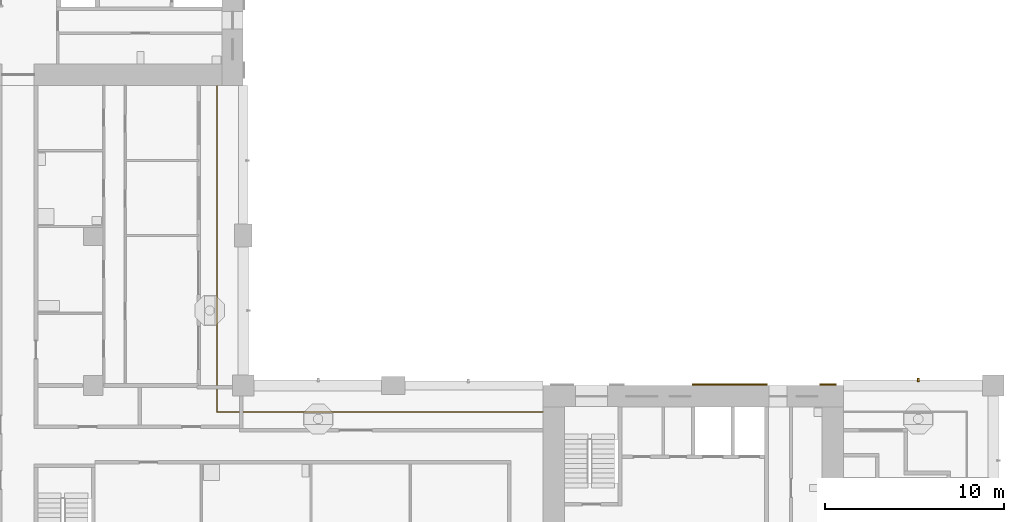
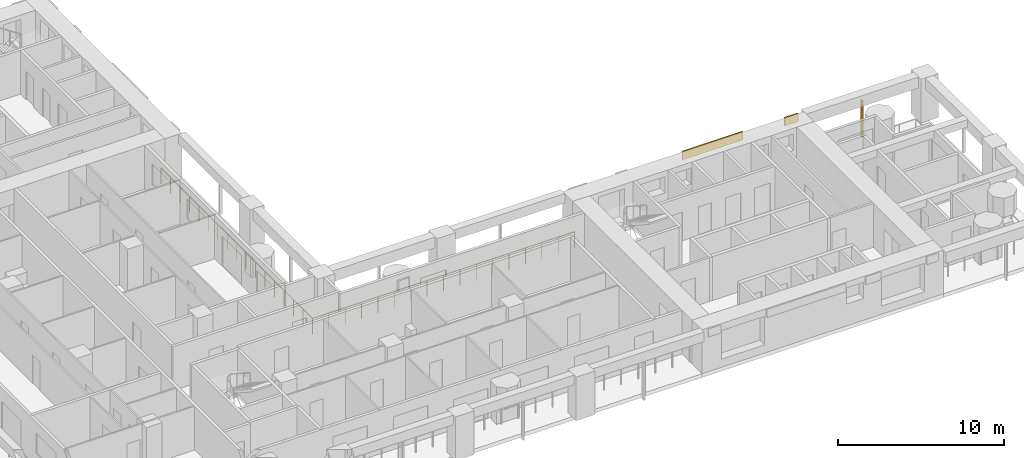
# One storey, part 13 of 18: 3 shading devices, 1 railing.
"""IFC4 building model written with IfcOpenShell, lengths in metres."""

from ifc_helpers import new_model, si_unit, direction, frame, origin, origin_2d, place, context, subcontext, project, spatial, rectangle, circle, extrude, material, layer, layer_set, material_profile, profile_set, type_object, element, save


model = new_model("IFC4")

# Units and contexts
model_context = context("Model", 3, precision=1e-05, world=origin(), true_north=direction((0.0, 1.0)))
body_context = subcontext(model_context, "Body", "Model", "MODEL_VIEW")
ifc_project = project(units=[si_unit("LENGTHUNIT", "METRE"), si_unit("AREAUNIT", "SQUARE_METRE"), si_unit("VOLUMEUNIT", "CUBIC_METRE"), si_unit("PLANEANGLEUNIT", "RADIAN"), si_unit("MASSUNIT", "GRAM", prefix="KILO")], contexts=[model_context])

# Site, building, storey
site_placement = place(None, origin())
site = spatial("IfcSite", under=ifc_project, at=site_placement, CompositionType="ELEMENT")
building_placement = place(site_placement, origin())
building = spatial("IfcBuilding", under=site, at=building_placement, Name="Vermilion Gate Residences", CompositionType="ELEMENT")
storey_placement = place(building_placement, frame((0.0, 0.0, 105.699951171875)))
storey = spatial("IfcBuildingStorey", under=building, at=storey_placement, Name="L26", CompositionType="ELEMENT", Elevation=105.699951171875)

# Railing
ifc_material_1 = material(Name="Stainless steel and toughened glass", Category="steel")
railing_type = type_object("IfcRailingType", Name="LOGGIA GUARD STEEL AND GLASS 1200", PredefinedType="GUARDRAIL", material=ifc_material_1)
railing_placement = place(storey_placement, frame((41.97802734375, 23.72509765625, 0.0)))
element("IfcRailing", 1, at=railing_placement, inside=storey, type_object=railing_type, Name="Loggia guard", PredefinedType="GUARDRAIL", context=body_context, shape_type="SweptSolid", body=[
    extrude(circle(Radius=0.030029296875, at=origin_2d()), frame((0.0, 0.0, 1.169921875), z_axis=(-1.0, 0.0, 0.0), x_axis=(0.0, -1.0, 0.0)), (0.0, 0.0, 1.0), 18.2529296875),
    extrude(circle(Radius=0.030029296875, at=origin_2d()), frame((-18.2529296875, 0.0, 1.169921875), z_axis=(0.0, 1.0, 0.0), x_axis=(-1.0, 0.0, 0.0)), (0.0, 0.0, 1.0), 18.2529296875),
    extrude(circle(Radius=0.02490234375, at=origin_2d()), origin(), (0.0, 0.0, 1.0), 1.139892578125),
    extrude(circle(Radius=0.02490234375, at=origin_2d()), frame((-1.140869140625, 0.0, 0.0)), (0.0, 0.0, 1.0), 1.139892578125),
    extrude(circle(Radius=0.02490234375, at=origin_2d()), frame((-2.28173828125, 0.0, 0.0)), (0.0, 0.0, 1.0), 1.139892578125),
    extrude(circle(Radius=0.02490234375, at=origin_2d()), frame((-3.42236328125, 0.0, 0.0)), (0.0, 0.0, 1.0), 1.139892578125),
    extrude(circle(Radius=0.02490234375, at=origin_2d()), frame((-4.563232421875, 0.0, 0.0)), (0.0, 0.0, 1.0), 1.139892578125),
    extrude(circle(Radius=0.02490234375, at=origin_2d()), frame((-5.7041015625, 0.0, 0.0)), (0.0, 0.0, 1.0), 1.139892578125),
    extrude(circle(Radius=0.02490234375, at=origin_2d()), frame((-6.8447265625, 0.0, 0.0)), (0.0, 0.0, 1.0), 1.139892578125),
    extrude(circle(Radius=0.02490234375, at=origin_2d()), frame((-7.985595703125, 0.0, 0.0)), (0.0, 0.0, 1.0), 1.139892578125),
    extrude(circle(Radius=0.02490234375, at=origin_2d()), frame((-9.12646484375, 0.0, 0.0)), (0.0, 0.0, 1.0), 1.139892578125),
    extrude(circle(Radius=0.02490234375, at=origin_2d()), frame((-10.267333984375, 0.0, 0.0)), (0.0, 0.0, 1.0), 1.139892578125),
    extrude(circle(Radius=0.02490234375, at=origin_2d()), frame((-11.408203125, 0.0, 0.0)), (0.0, 0.0, 1.0), 1.139892578125),
    extrude(circle(Radius=0.02490234375, at=origin_2d()), frame((-12.548828125, 0.0, 0.0)), (0.0, 0.0, 1.0), 1.139892578125),
    extrude(circle(Radius=0.02490234375, at=origin_2d()), frame((-13.689697265625, 0.0, 0.0)), (0.0, 0.0, 1.0), 1.139892578125),
    extrude(circle(Radius=0.02490234375, at=origin_2d()), frame((-14.83056640625, 0.0, 0.0)), (0.0, 0.0, 1.0), 1.139892578125),
    extrude(circle(Radius=0.02490234375, at=origin_2d()), frame((-15.97119140625, 0.0, 0.0)), (0.0, 0.0, 1.0), 1.139892578125),
    extrude(circle(Radius=0.02490234375, at=origin_2d()), frame((-17.112060546875, 0.0, 0.0)), (0.0, 0.0, 1.0), 1.139892578125),
    extrude(circle(Radius=0.02490234375, at=origin_2d()), frame((-18.2529296875, 0.0, 0.0)), (0.0, 0.0, 1.0), 1.139892578125),
    extrude(circle(Radius=0.02490234375, at=origin_2d()), frame((-18.2529296875, 1.140869140625, 0.0)), (0.0, 0.0, 1.0), 1.139892578125),
    extrude(circle(Radius=0.02490234375, at=origin_2d()), frame((-18.2529296875, 2.28173828125, 0.0)), (0.0, 0.0, 1.0), 1.139892578125),
    extrude(circle(Radius=0.02490234375, at=origin_2d()), frame((-18.2529296875, 3.42236328125, 0.0)), (0.0, 0.0, 1.0), 1.139892578125),
    extrude(circle(Radius=0.02490234375, at=origin_2d()), frame((-18.2529296875, 4.563232421875, 0.0)), (0.0, 0.0, 1.0), 1.139892578125),
    extrude(circle(Radius=0.02490234375, at=origin_2d()), frame((-18.2529296875, 5.7041015625, 0.0)), (0.0, 0.0, 1.0), 1.139892578125),
    extrude(circle(Radius=0.02490234375, at=origin_2d()), frame((-18.2529296875, 6.8447265625, 0.0)), (0.0, 0.0, 1.0), 1.139892578125),
    extrude(circle(Radius=0.02490234375, at=origin_2d()), frame((-18.2529296875, 7.985595703125, 0.0)), (0.0, 0.0, 1.0), 1.139892578125),
    extrude(circle(Radius=0.02490234375, at=origin_2d()), frame((-18.2529296875, 9.12646484375, 0.0)), (0.0, 0.0, 1.0), 1.139892578125),
    extrude(circle(Radius=0.02490234375, at=origin_2d()), frame((-18.2529296875, 10.267333984375, 0.0)), (0.0, 0.0, 1.0), 1.139892578125),
    extrude(circle(Radius=0.02490234375, at=origin_2d()), frame((-18.2529296875, 11.408203125, 0.0)), (0.0, 0.0, 1.0), 1.139892578125),
    extrude(circle(Radius=0.02490234375, at=origin_2d()), frame((-18.2529296875, 12.548828125, 0.0)), (0.0, 0.0, 1.0), 1.139892578125),
    extrude(circle(Radius=0.02490234375, at=origin_2d()), frame((-18.2529296875, 13.689697265625, 0.0)), (0.0, 0.0, 1.0), 1.139892578125),
    extrude(circle(Radius=0.02490234375, at=origin_2d()), frame((-18.2529296875, 14.83056640625, 0.0)), (0.0, 0.0, 1.0), 1.139892578125),
    extrude(circle(Radius=0.02490234375, at=origin_2d()), frame((-18.2529296875, 15.97119140625, 0.0)), (0.0, 0.0, 1.0), 1.139892578125),
    extrude(circle(Radius=0.02490234375, at=origin_2d()), frame((-18.2529296875, 17.112060546875, 0.0)), (0.0, 0.0, 1.0), 1.139892578125),
    extrude(circle(Radius=0.02490234375, at=origin_2d()), frame((-18.2529296875, 18.2529296875, 0.0)), (0.0, 0.0, 1.0), 1.139892578125),
])

# Shading devices
ifc_material_2 = material(Name="Extruded terracotta", Category="masonry")
ifc_material_profile = material_profile(ifc_material_2, rectangle(XDim=0.199951171875, YDim=0.10009765625, at=origin_2d()), Name="BAGUETTE 100 X 200")
ifc_profile_set = profile_set([ifc_material_profile], Name="Extruded terracotta")
shading_device_type_1 = type_object("IfcShadingDeviceType", Name="TERRACOTTA BAGUETTE 100 X 200", PredefinedType="JALOUSIE", material=ifc_profile_set)
shading_device_1_placement = place(storey_placement, frame((63.0, 25.5, -0.280029296875), z_axis=(0.0, 0.0, 1.0), x_axis=(0.0, -1.0, 0.0)))
element("IfcShadingDevice", 2, at=shading_device_1_placement, inside=storey, type_object=shading_device_type_1, Name="BAGUETTE", PredefinedType="JALOUSIE", context=body_context, shape_type="SweptSolid", body=[
    extrude(rectangle(XDim=0.199951171875, YDim=0.10009765625, at=origin_2d()), origin(), (0.0, 0.0, 1.0), 2.7001953125),
])
ifc_material_3 = material(Name="Extruded terracotta", Category="masonry")
ifc_layer = layer(ifc_material_3, 0.10009765625)
ifc_layer_set = layer_set([ifc_layer], Name="TERRACOTTA SPANDREL BAND 600 X 100")
shading_device_type_2 = type_object("IfcShadingDeviceType", Name="TERRACOTTA SPANDREL BAND 600 X 100", PredefinedType="USERDEFINED", material=ifc_layer_set)
shading_device_2_placement = place(storey_placement, frame((52.449951171875, 25.25, 2.6201171875), z_axis=(0.0, 0.0, 1.0), x_axis=(1.0, 0.0, 0.0)))
element("IfcShadingDevice", 3, at=shading_device_2_placement, inside=storey, type_object=shading_device_type_2, Name="SPANDREL BAND", ObjectType="BAND", PredefinedType="USERDEFINED", context=body_context, shape_type="SweptSolid", body=[
    extrude(rectangle(XDim=4.199951171875, YDim=0.10009765625, at=origin_2d()), origin(), (0.0, 0.0, 1.0), 0.60009765625),
])
shading_device_3_placement = place(storey_placement, frame((57.9375, 25.25, 2.6201171875), z_axis=(0.0, 0.0, 1.0), x_axis=(1.0, 0.0, 0.0)))
element("IfcShadingDevice", 4, at=shading_device_3_placement, inside=storey, type_object=shading_device_type_2, Name="SPANDREL BAND", ObjectType="BAND", PredefinedType="USERDEFINED", context=body_context, shape_type="SweptSolid", body=[
    extrude(rectangle(XDim=0.925048828125, YDim=0.10009765625, at=origin_2d()), origin(), (0.0, 0.0, 1.0), 0.60009765625),
])

save(model, "model.ifc")
